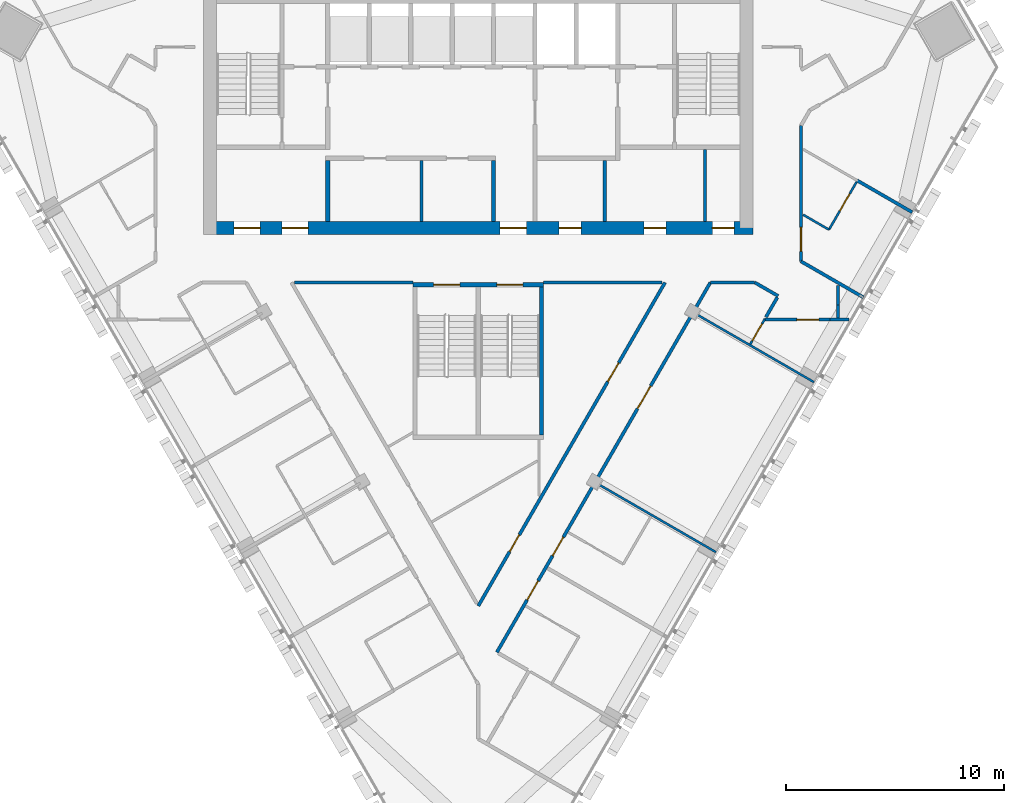
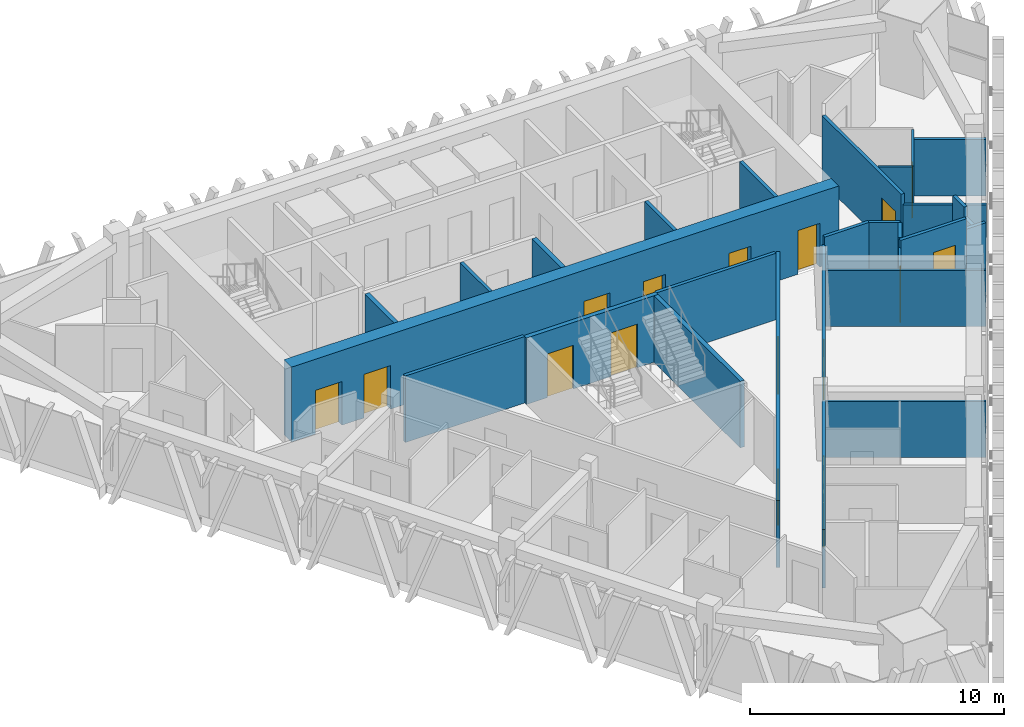
# One storey, part 9 of 15: 27 walls, 17 doors, 17 openings.
"""IFC4 building model written with IfcOpenShell, lengths in metres."""

from ifc_helpers import new_model, si_unit, direction, frame, frame_2d, origin, place, context, subcontext, project, spatial, rectangle, extrude, material, layer, layer_set, type_object, element, fill, save


model = new_model("IFC4")

# Units and contexts
model_context = context("Model", 3, precision=1e-05, world=origin(), true_north=direction((0.0, 1.0)))
body_context = subcontext(model_context, "Body", "Model", "MODEL_VIEW")
ifc_project = project(units=[si_unit("LENGTHUNIT", "METRE"), si_unit("AREAUNIT", "SQUARE_METRE"), si_unit("VOLUMEUNIT", "CUBIC_METRE"), si_unit("PLANEANGLEUNIT", "RADIAN"), si_unit("MASSUNIT", "GRAM", prefix="KILO")], contexts=[model_context])

# Site, building, storey
site_placement = place(None, origin())
site = spatial("IfcSite", under=ifc_project, at=site_placement, CompositionType="ELEMENT")
building_placement = place(site_placement, origin())
building = spatial("IfcBuilding", under=site, at=building_placement, Name="Altiplano Prism Tower", CompositionType="ELEMENT")
storey_placement = place(building_placement, frame((0.0, 0.0, 250.0)))
storey = spatial("IfcBuildingStorey", under=building, at=storey_placement, Name="L64", CompositionType="ELEMENT", Elevation=250.0)

# Wall, openings, doors
ifc_material_1 = material(Name="Concrete C60/75", Category="concrete")
ifc_layer_1 = layer(ifc_material_1, 0.60009765625)
ifc_layer_set_1 = layer_set([ifc_layer_1], Name="Concrete C60/75")
wall_type_1 = type_object("IfcWallType", Name="Core wall 600", PredefinedType="SHEAR", material=ifc_layer_set_1)
wall_1_placement = place(storey_placement, frame((72.699951171875, 93.10009765625, 0.0), z_axis=(0.0, 0.0, 1.0), x_axis=(1.0, 0.0, 0.0)))
wall_1 = element("IfcWall", 1, at=wall_1_placement, inside=storey, type_object=wall_type_1, Name="Core wall S L64", PredefinedType="SHEAR", context=body_context, shape_type="SweptSolid", body=[
    extrude(rectangle(XDim=24.900146484375, YDim=0.60009765625, at=frame_2d((12.4501953125, 0.0))), origin(), (0.0, 0.0, 1.0), 3.60009765625),
])
opening_1_placement = place(wall_1_placement, frame((1.10009765625, 0.0, 0.0)))
opening_1 = element("IfcOpeningElement", 2, at=opening_1_placement, cuts=wall_1, Name="Opening D3477", PredefinedType="OPENING", context=body_context, shape_type="SweptSolid", body=[
    extrude(rectangle(XDim=1.199951171875, YDim=2.10009765625, at=frame_2d((0.60009765625, 1.050048828125))), frame((0.0, 0.310546875, 0.0), z_axis=(0.0, -1.0, 0.0), x_axis=(1.0, 0.0, 0.0)), (0.0, 0.0, 1.0), 0.62109375),
])
opening_2_placement = place(wall_1_placement, frame((3.300048828125, 0.0, 0.0)))
opening_2 = element("IfcOpeningElement", 3, at=opening_2_placement, cuts=wall_1, Name="Opening D3478", PredefinedType="OPENING", context=body_context, shape_type="SweptSolid", body=[
    extrude(rectangle(XDim=1.199951171875, YDim=2.10009765625, at=frame_2d((0.60009765625, 1.050048828125))), frame((0.0, 0.310546875, 0.0), z_axis=(0.0, -1.0, 0.0), x_axis=(1.0, 0.0, 0.0)), (0.0, 0.0, 1.0), 0.62109375),
])
opening_3_placement = place(wall_1_placement, frame((13.300048828125, 0.0, 0.0)))
opening_3 = element("IfcOpeningElement", 4, at=opening_3_placement, cuts=wall_1, Name="Opening D3479", PredefinedType="OPENING", context=body_context, shape_type="SweptSolid", body=[
    extrude(rectangle(XDim=1.199951171875, YDim=2.10009765625, at=frame_2d((0.60009765625, 1.050048828125))), frame((0.0, 0.310546875, 0.0), z_axis=(0.0, -1.0, 0.0), x_axis=(1.0, 0.0, 0.0)), (0.0, 0.0, 1.0), 0.62109375),
])
opening_4_placement = place(wall_1_placement, frame((16.012451171875, 0.0, 0.0)))
opening_4 = element("IfcOpeningElement", 5, at=opening_4_placement, cuts=wall_1, Name="Opening D3482", PredefinedType="OPENING", context=body_context, shape_type="SweptSolid", body=[
    extrude(rectangle(XDim=1.0, YDim=2.10009765625, at=frame_2d((0.5, 1.050048828125))), frame((0.0, 0.310546875, 0.0), z_axis=(0.0, -1.0, 0.0), x_axis=(1.0, 0.0, 0.0)), (0.0, 0.0, 1.0), 0.62109375),
])
opening_5_placement = place(wall_1_placement, frame((19.89990234375, 0.0, 0.0)))
opening_5 = element("IfcOpeningElement", 6, at=opening_5_placement, cuts=wall_1, Name="Opening D3483", PredefinedType="OPENING", context=body_context, shape_type="SweptSolid", body=[
    extrude(rectangle(XDim=1.0, YDim=2.10009765625, at=frame_2d((0.5, 1.050048828125))), frame((0.0, 0.310546875, 0.0), z_axis=(0.0, -1.0, 0.0), x_axis=(1.0, 0.0, 0.0)), (0.0, 0.0, 1.0), 0.62109375),
])
opening_6_placement = place(wall_1_placement, frame((23.03759765625, 0.0, 0.0)))
opening_6 = element("IfcOpeningElement", 7, at=opening_6_placement, cuts=wall_1, Name="Opening D3484", PredefinedType="OPENING", context=body_context, shape_type="SweptSolid", body=[
    extrude(rectangle(XDim=1.0, YDim=2.10009765625, at=frame_2d((0.5, 1.050048828125))), frame((0.0, 0.310546875, 0.0), z_axis=(0.0, -1.0, 0.0), x_axis=(1.0, 0.0, 0.0)), (0.0, 0.0, 1.0), 0.62109375),
])
ifc_material_2 = material(Name="Fire-rated steel door", Category="steel")
door_type_1 = type_object("IfcDoorType", Name="Core room door 1000 x 2100", OperationType="NOTDEFINED", PredefinedType="NOTDEFINED", material=ifc_material_2)
door_1_placement = place(opening_4_placement, origin())
door_1 = element("IfcDoor", 8, at=door_1_placement, inside=storey, type_object=door_type_1, Name="Core room door D3482", OperationType="SINGLE_SWING_RIGHT", OverallHeight=2.10009765625, OverallWidth=1.0, PredefinedType="NOTDEFINED", context=body_context, shape_type="SweptSolid", body=[
    extrude(rectangle(XDim=1.0, YDim=2.10009765625, at=frame_2d((0.5, 1.050048828125))), frame((0.0, 0.02490234375, 0.0), z_axis=(0.0, -1.0, 0.0), x_axis=(1.0, 0.0, 0.0)), (0.0, 0.0, 1.0), 0.050048828125),
])
fill(opening_4, door_1)
door_2_placement = place(opening_5_placement, origin())
door_2 = element("IfcDoor", 9, at=door_2_placement, inside=storey, type_object=door_type_1, Name="Core room door D3483", OperationType="SINGLE_SWING_LEFT", OverallHeight=2.10009765625, OverallWidth=1.0, PredefinedType="NOTDEFINED", context=body_context, shape_type="SweptSolid", body=[
    extrude(rectangle(XDim=1.0, YDim=2.10009765625, at=frame_2d((0.5, 1.050048828125))), frame((0.0, 0.02490234375, 0.0), z_axis=(0.0, -1.0, 0.0), x_axis=(1.0, 0.0, 0.0)), (0.0, 0.0, 1.0), 0.050048828125),
])
fill(opening_5, door_2)
door_3_placement = place(opening_6_placement, origin())
door_3 = element("IfcDoor", 10, at=door_3_placement, inside=storey, type_object=door_type_1, Name="Core room door D3484", OperationType="SINGLE_SWING_RIGHT", OverallHeight=2.10009765625, OverallWidth=1.0, PredefinedType="NOTDEFINED", context=body_context, shape_type="SweptSolid", body=[
    extrude(rectangle(XDim=1.0, YDim=2.10009765625, at=frame_2d((0.5, 1.050048828125))), frame((0.0, 0.02490234375, 0.0), z_axis=(0.0, -1.0, 0.0), x_axis=(1.0, 0.0, 0.0)), (0.0, 0.0, 1.0), 0.050048828125),
])
fill(opening_6, door_3)
door_type_2 = type_object("IfcDoorType", Name="Lobby fire door 1200 x 2100", OperationType="NOTDEFINED", PredefinedType="NOTDEFINED", material=ifc_material_2)
door_4_placement = place(opening_1_placement, origin())
door_4 = element("IfcDoor", 11, at=door_4_placement, inside=storey, type_object=door_type_2, Name="Lobby fire door D3477", OperationType="SINGLE_SWING_RIGHT", OverallHeight=2.10009765625, OverallWidth=1.199951171875, PredefinedType="NOTDEFINED", context=body_context, shape_type="SweptSolid", body=[
    extrude(rectangle(XDim=1.199951171875, YDim=2.10009765625, at=frame_2d((0.60009765625, 1.050048828125))), frame((0.0, 0.02490234375, 0.0), z_axis=(0.0, -1.0, 0.0), x_axis=(1.0, 0.0, 0.0)), (0.0, 0.0, 1.0), 0.050048828125),
])
fill(opening_1, door_4)
door_5_placement = place(opening_2_placement, origin())
door_5 = element("IfcDoor", 12, at=door_5_placement, inside=storey, type_object=door_type_2, Name="Lobby fire door D3478", OperationType="SINGLE_SWING_LEFT", OverallHeight=2.10009765625, OverallWidth=1.199951171875, PredefinedType="NOTDEFINED", context=body_context, shape_type="SweptSolid", body=[
    extrude(rectangle(XDim=1.199951171875, YDim=2.10009765625, at=frame_2d((0.60009765625, 1.050048828125))), frame((0.0, 0.02490234375, 0.0), z_axis=(0.0, -1.0, 0.0), x_axis=(1.0, 0.0, 0.0)), (0.0, 0.0, 1.0), 0.050048828125),
])
fill(opening_2, door_5)
door_6_placement = place(opening_3_placement, origin())
door_6 = element("IfcDoor", 13, at=door_6_placement, inside=storey, type_object=door_type_2, Name="Lobby fire door D3479", OperationType="SINGLE_SWING_RIGHT", OverallHeight=2.10009765625, OverallWidth=1.199951171875, PredefinedType="NOTDEFINED", context=body_context, shape_type="SweptSolid", body=[
    extrude(rectangle(XDim=1.199951171875, YDim=2.10009765625, at=frame_2d((0.60009765625, 1.050048828125))), frame((0.0, 0.02490234375, 0.0), z_axis=(0.0, -1.0, 0.0), x_axis=(1.0, 0.0, 0.0)), (0.0, 0.0, 1.0), 0.050048828125),
])
fill(opening_3, door_6)

# Wall, opening, door
ifc_material_3 = material(Name="Plasterboard on steel stud", Category="steel")
ifc_layer_2 = layer(ifc_material_3, 0.10009765625)
ifc_layer_set_2 = layer_set([ifc_layer_2], Name="Plasterboard on steel stud")
wall_type_2 = type_object("IfcWallType", Name="Partition 100 unit", PredefinedType="PARTITIONING", material=ifc_layer_set_2)
wall_2_placement = place(storey_placement, frame((98.137939453125, 88.919921875, 0.0), z_axis=(0.0, 0.0, 1.0), x_axis=(-0.500004296715, -0.866022923061, 0.0)))
wall_2 = element("IfcWall", 14, at=wall_2_placement, inside=storey, type_object=wall_type_2, Name="Partition P02 L64 071", PredefinedType="PARTITIONING", context=body_context, shape_type="SweptSolid", body=[
    extrude(rectangle(XDim=1.32470703125, YDim=0.10009765625, at=frame_2d((0.662353515625, 0.0))), origin(), (0.0, 0.0, 1.0), 2.800048828125),
])
opening_7_placement = place(wall_2_placement, frame((0.25, 0.0, 0.0)))
opening_7 = element("IfcOpeningElement", 15, at=opening_7_placement, cuts=wall_2, Name="Opening D2105", PredefinedType="OPENING", context=body_context, shape_type="SweptSolid", body=[
    extrude(rectangle(XDim=0.89990234375, YDim=2.10009765625, at=frame_2d((0.449951171875, 1.050048828125))), frame((0.0, 0.060546875, 0.0), z_axis=(0.0, -1.0, 0.0), x_axis=(1.0, 0.0, 0.0)), (0.0, 0.0, 1.0), 0.12109375),
])
ifc_material_4 = material(Name="Timber", Category="wood")
door_type_3 = type_object("IfcDoorType", Name="Ensuite door 900 x 2100", OperationType="NOTDEFINED", PredefinedType="NOTDEFINED", material=ifc_material_4)
door_7_placement = place(opening_7_placement, origin())
door_7 = element("IfcDoor", 16, at=door_7_placement, inside=storey, type_object=door_type_3, Name="Door D2105", OperationType="SINGLE_SWING_LEFT", OverallHeight=2.10009765625, OverallWidth=0.89990234375, PredefinedType="NOTDEFINED", context=body_context, shape_type="SweptSolid", body=[
    extrude(rectangle(XDim=0.89990234375, YDim=2.10009765625, at=frame_2d((0.449951171875, 1.050048828125))), frame((0.0, 0.02490234375, 0.0), z_axis=(0.0, -1.0, 0.0), x_axis=(1.0, 0.0, 0.0)), (0.0, 0.0, 1.0), 0.050048828125),
])
fill(opening_7, door_7)

wall_3_placement = place(storey_placement, frame((102.345947265625, 95.20849609375, 0.0), z_axis=(0.0, 0.0, 1.0), x_axis=(-0.499976333282, -0.866039067339, 0.0)))
wall_3 = element("IfcWall", 17, at=wall_3_placement, inside=storey, type_object=wall_type_2, Name="Partition P02 L64 073", PredefinedType="PARTITIONING", context=body_context, shape_type="SweptSolid", body=[
    extrude(rectangle(XDim=2.52490234375, YDim=0.10009765625, at=frame_2d((1.262451171875, 0.0))), origin(), (0.0, 0.0, 1.0), 3.199951171875),
])
opening_8_placement = place(wall_3_placement, frame((0.62890625, 0.0, 0.0)))
opening_8 = element("IfcOpeningElement", 18, at=opening_8_placement, cuts=wall_3, Name="Opening D2107", PredefinedType="OPENING", context=body_context, shape_type="SweptSolid", body=[
    extrude(rectangle(XDim=0.89990234375, YDim=2.10009765625, at=frame_2d((0.449951171875, 1.050048828125))), frame((0.0, 0.060546875, 0.0), z_axis=(0.0, -1.0, 0.0), x_axis=(1.0, 0.0, 0.0)), (0.0, 0.0, 1.0), 0.12109375),
])
door_type_4 = type_object("IfcDoorType", Name="Accessible ensuite door 900 x 2100", OperationType="NOTDEFINED", PredefinedType="NOTDEFINED", material=ifc_material_4)
door_8_placement = place(opening_8_placement, origin())
door_8 = element("IfcDoor", 19, at=door_8_placement, inside=storey, type_object=door_type_4, Name="Door D2107", OperationType="SINGLE_SWING_LEFT", OverallHeight=2.10009765625, OverallWidth=0.89990234375, PredefinedType="NOTDEFINED", context=body_context, shape_type="SweptSolid", body=[
    extrude(rectangle(XDim=0.89990234375, YDim=2.10009765625, at=frame_2d((0.449951171875, 1.050048828125))), frame((0.0, 0.02490234375, 0.0), z_axis=(0.0, -1.0, 0.0), x_axis=(1.0, 0.0, 0.0)), (0.0, 0.0, 1.0), 0.050048828125),
])
fill(opening_8, door_8)

# Walls
wall_4_placement = place(storey_placement, frame((101.08349609375, 93.021728515625, 0.0), z_axis=(0.0, 0.0, 1.0), x_axis=(-0.8660249478, 0.500000789788, 0.0)))
element("IfcWall", 20, at=wall_4_placement, inside=storey, type_object=wall_type_2, Name="Partition P02 L64 074", PredefinedType="PARTITIONING", context=body_context, shape_type="SweptSolid", body=[
    extrude(rectangle(XDim=1.36669921875, YDim=0.10009765625, at=frame_2d((0.683349609375, 0.0))), origin(), (0.0, 0.0, 1.0), 3.199951171875),
])
ifc_layer_3 = layer(ifc_material_3, 0.10009765625)
ifc_layer_set_3 = layer_set([ifc_layer_3], Name="Plasterboard on steel stud")
wall_type_3 = type_object("IfcWallType", Name="Partition 100 wet", PredefinedType="PARTITIONING", material=ifc_layer_set_3)
for number, where, z_axis, x_axis, name in (
    (21, (95.89501953125, 78.235107421875, 0.0), (0.0, 0.0, 1.0), (-0.866032601554, 0.49998753289, 0.0), "Partition P03 L64 069"),
    (22, (100.39501953125, 86.029296875, 0.0), (0.0, 0.0, 1.0), (-0.866015887322, 0.500016482634, 0.0), "Partition P03 L64 070"),
):
    element("IfcWall", number, at=place(storey_placement, frame(where, z_axis=z_axis, x_axis=x_axis)), inside=storey, type_object=wall_type_3, Name=name, PredefinedType="PARTITIONING", context=body_context, shape_type="SweptSolid", body=[
        extrude(rectangle(XDim=6.324951171875, YDim=0.10009765625, at=frame_2d((3.16259765625, 0.0))), origin(), (0.0, 0.0, 1.0), 2.699951171875),
    ])
ifc_layer_4 = layer(ifc_material_3, 0.14990234375)
ifc_layer_set_4 = layer_set([ifc_layer_4], Name="Plasterboard on steel stud")
wall_type_4 = type_object("IfcWallType", Name="Partition 150 corridor", PredefinedType="PARTITIONING", material=ifc_layer_set_4)
for number, where, z_axis, x_axis, name in (
    (23, (76.566162109375, 90.59912109375, 0.0), (0.0, 0.0, 1.0), (1.0, 0.0, 0.0), "Partition P06 L64 002"),
    (24, (88.0, 90.59912109375, 0.0), (0.0, 0.0, 1.0), (1.0, 0.0, 0.0), "Partition P06 L64 003"),
):
    element("IfcWall", number, at=place(storey_placement, frame(where, z_axis=z_axis, x_axis=x_axis)), inside=storey, type_object=wall_type_4, Name=name, PredefinedType="PARTITIONING", context=body_context, shape_type="SweptSolid", body=[
        extrude(rectangle(XDim=5.433837890625, YDim=0.14990234375, at=frame_2d((2.716796875, 0.0))), origin(), (0.0, 0.0, 1.0), 3.199951171875),
    ])

# Wall, openings, doors
wall_5_placement = place(storey_placement, frame((93.563720703125, 90.59912109375, 0.0), z_axis=(0.0, 0.0, 1.0), x_axis=(-0.500000902253, -0.866024882868, 0.0)))
wall_5 = element("IfcWall", 25, at=wall_5_placement, inside=storey, type_object=wall_type_4, Name="Partition P06 L64 004", PredefinedType="PARTITIONING", context=body_context, shape_type="SweptSolid", body=[
    extrude(rectangle(XDim=17.12744140625, YDim=0.14990234375, at=frame_2d((8.563720703125, 0.0))), origin(), (0.0, 0.0, 1.0), 3.199951171875),
])
opening_9_placement = place(wall_5_placement, frame((13.35791015625, 0.0, 0.0)))
opening_9 = element("IfcOpeningElement", 26, at=opening_9_placement, cuts=wall_5, Name="Opening D2080", PredefinedType="OPENING", context=body_context, shape_type="SweptSolid", body=[
    extrude(rectangle(XDim=0.89990234375, YDim=2.10009765625, at=frame_2d((0.449951171875, 1.050048828125))), frame((0.0, 0.08544921875, 0.0), z_axis=(0.0, -1.0, 0.0), x_axis=(1.0, 0.0, 0.0)), (0.0, 0.0, 1.0), 0.1708984375),
])
opening_10_placement = place(wall_5_placement, frame((4.2548828125, 0.0, 0.0)))
opening_10 = element("IfcOpeningElement", 27, at=opening_10_placement, cuts=wall_5, Name="Opening D2083", PredefinedType="OPENING", context=body_context, shape_type="SweptSolid", body=[
    extrude(rectangle(XDim=1.0, YDim=2.10009765625, at=frame_2d((0.5, 1.050048828125))), frame((0.0, 0.08544921875, 0.0), z_axis=(0.0, -1.0, 0.0), x_axis=(1.0, 0.0, 0.0)), (0.0, 0.0, 1.0), 0.1708984375),
])
door_type_5 = type_object("IfcDoorType", Name="Room door 1000 x 2100", OperationType="NOTDEFINED", PredefinedType="NOTDEFINED", material=ifc_material_4)
door_9_placement = place(opening_10_placement, origin())
door_9 = element("IfcDoor", 28, at=door_9_placement, inside=storey, type_object=door_type_5, Name="Door D2083", OperationType="SINGLE_SWING_RIGHT", OverallHeight=2.10009765625, OverallWidth=1.0, PredefinedType="NOTDEFINED", context=body_context, shape_type="SweptSolid", body=[
    extrude(rectangle(XDim=1.0, YDim=2.10009765625, at=frame_2d((0.5, 1.050048828125))), frame((0.0, 0.02490234375, 0.0), z_axis=(0.0, -1.0, 0.0), x_axis=(1.0, 0.0, 0.0)), (0.0, 0.0, 1.0), 0.050048828125),
])
fill(opening_10, door_9)
door_type_6 = type_object("IfcDoorType", Name="Toilet door 900 x 2100", OperationType="NOTDEFINED", PredefinedType="NOTDEFINED", material=ifc_material_4)
door_10_placement = place(opening_9_placement, origin())
door_10 = element("IfcDoor", 29, at=door_10_placement, inside=storey, type_object=door_type_6, Name="Door D2080", OperationType="SINGLE_SWING_RIGHT", OverallHeight=2.10009765625, OverallWidth=0.89990234375, PredefinedType="NOTDEFINED", context=body_context, shape_type="SweptSolid", body=[
    extrude(rectangle(XDim=0.89990234375, YDim=2.10009765625, at=frame_2d((0.449951171875, 1.050048828125))), frame((0.0, 0.02490234375, 0.0), z_axis=(0.0, -1.0, 0.0), x_axis=(1.0, 0.0, 0.0)), (0.0, 0.0, 1.0), 0.050048828125),
])
fill(opening_9, door_10)

wall_6_placement = place(storey_placement, frame((85.8525390625, 73.640869140625, 0.0), z_axis=(0.0, 0.0, 1.0), x_axis=(0.499994048969, 0.866028839587, 0.0)))
wall_6 = element("IfcWall", 30, at=wall_6_placement, inside=storey, type_object=wall_type_4, Name="Partition P06 L64 018", PredefinedType="PARTITIONING", context=body_context, shape_type="SweptSolid", body=[
    extrude(rectangle(XDim=19.582763671875, YDim=0.14990234375, at=frame_2d((9.79150390625, 0.0))), origin(), (0.0, 0.0, 1.0), 2.800048828125),
])
opening_11_placement = place(wall_6_placement, frame((2.780029296875, 0.0, 0.0)))
opening_11 = element("IfcOpeningElement", 31, at=opening_11_placement, cuts=wall_6, Name="Opening D2099", PredefinedType="OPENING", context=body_context, shape_type="SweptSolid", body=[
    extrude(rectangle(XDim=1.0, YDim=2.10009765625, at=frame_2d((0.5, 1.050048828125))), frame((0.0, 0.08544921875, 0.0), z_axis=(0.0, -1.0, 0.0), x_axis=(1.0, 0.0, 0.0)), (0.0, 0.0, 1.0), 0.1708984375),
])
opening_12_placement = place(wall_6_placement, frame((5.10498046875, 0.0, 0.0)))
opening_12 = element("IfcOpeningElement", 32, at=opening_12_placement, cuts=wall_6, Name="Opening D2101", PredefinedType="OPENING", context=body_context, shape_type="SweptSolid", body=[
    extrude(rectangle(XDim=1.0, YDim=2.10009765625, at=frame_2d((0.5, 1.050048828125))), frame((0.0, 0.08544921875, 0.0), z_axis=(0.0, -1.0, 0.0), x_axis=(1.0, 0.0, 0.0)), (0.0, 0.0, 1.0), 0.1708984375),
])
opening_13_placement = place(wall_6_placement, frame((12.89990234375, 0.0, 0.0)))
opening_13 = element("IfcOpeningElement", 33, at=opening_13_placement, cuts=wall_6, Name="Opening D2103", PredefinedType="OPENING", context=body_context, shape_type="SweptSolid", body=[
    extrude(rectangle(XDim=1.199951171875, YDim=2.10009765625, at=frame_2d((0.60009765625, 1.050048828125))), frame((0.0, 0.08544921875, 0.0), z_axis=(0.0, -1.0, 0.0), x_axis=(1.0, 0.0, 0.0)), (0.0, 0.0, 1.0), 0.1708984375),
])
door_type_7 = type_object("IfcDoorType", Name="Bedroom entrance door 1000 x 2100", OperationType="NOTDEFINED", PredefinedType="NOTDEFINED", material=ifc_material_4)
door_11_placement = place(opening_11_placement, origin())
door_11 = element("IfcDoor", 34, at=door_11_placement, inside=storey, type_object=door_type_7, Name="Door D2099", OperationType="SINGLE_SWING_RIGHT", OverallHeight=2.10009765625, OverallWidth=1.0, PredefinedType="NOTDEFINED", context=body_context, shape_type="SweptSolid", body=[
    extrude(rectangle(XDim=1.0, YDim=2.10009765625, at=frame_2d((0.5, 1.050048828125))), frame((0.0, 0.02490234375, 0.0), z_axis=(0.0, -1.0, 0.0), x_axis=(1.0, 0.0, 0.0)), (0.0, 0.0, 1.0), 0.050048828125),
])
fill(opening_11, door_11)
door_12_placement = place(opening_12_placement, origin())
door_12 = element("IfcDoor", 35, at=door_12_placement, inside=storey, type_object=door_type_7, Name="Door D2101", OperationType="SINGLE_SWING_RIGHT", OverallHeight=2.10009765625, OverallWidth=1.0, PredefinedType="NOTDEFINED", context=body_context, shape_type="SweptSolid", body=[
    extrude(rectangle(XDim=1.0, YDim=2.10009765625, at=frame_2d((0.5, 1.050048828125))), frame((0.0, 0.02490234375, 0.0), z_axis=(0.0, -1.0, 0.0), x_axis=(1.0, 0.0, 0.0)), (0.0, 0.0, 1.0), 0.050048828125),
])
fill(opening_12, door_12)
door_type_8 = type_object("IfcDoorType", Name="Shared room door 1200 x 2100", OperationType="NOTDEFINED", PredefinedType="NOTDEFINED", material=ifc_material_4)
door_13_placement = place(opening_13_placement, origin())
door_13 = element("IfcDoor", 36, at=door_13_placement, inside=storey, type_object=door_type_8, Name="Door D2103", OperationType="SINGLE_SWING_RIGHT", OverallHeight=2.10009765625, OverallWidth=1.199951171875, PredefinedType="NOTDEFINED", context=body_context, shape_type="SweptSolid", body=[
    extrude(rectangle(XDim=1.199951171875, YDim=2.10009765625, at=frame_2d((0.60009765625, 1.050048828125))), frame((0.0, 0.02490234375, 0.0), z_axis=(0.0, -1.0, 0.0), x_axis=(1.0, 0.0, 0.0)), (0.0, 0.0, 1.0), 0.050048828125),
])
fill(opening_13, door_13)

# Wall, opening, door
wall_7_placement = place(storey_placement, frame((98.12646484375, 88.89990234375, 0.0), z_axis=(0.0, 0.0, 1.0), x_axis=(1.0, 0.0, 0.0)))
wall_7 = element("IfcWall", 37, at=wall_7_placement, inside=storey, type_object=wall_type_4, Name="Partition P06 L64 019", PredefinedType="PARTITIONING", context=body_context, shape_type="SweptSolid", body=[
    extrude(rectangle(XDim=2.992431640625, YDim=0.14990234375, at=frame_2d((1.49609375, 0.0))), origin(), (0.0, 0.0, 1.0), 3.199951171875),
])
opening_14_placement = place(wall_7_placement, frame((1.488037109375, 0.0, 0.0)))
opening_14 = element("IfcOpeningElement", 38, at=opening_14_placement, cuts=wall_7, Name="Opening D2104", PredefinedType="OPENING", context=body_context, shape_type="SweptSolid", body=[
    extrude(rectangle(XDim=1.0, YDim=2.10009765625, at=frame_2d((0.5, 1.050048828125))), frame((0.0, 0.08544921875, 0.0), z_axis=(0.0, -1.0, 0.0), x_axis=(1.0, 0.0, 0.0)), (0.0, 0.0, 1.0), 0.1708984375),
])
door_14_placement = place(opening_14_placement, origin())
door_14 = element("IfcDoor", 39, at=door_14_placement, inside=storey, type_object=door_type_7, Name="Door D2104", OperationType="SINGLE_SWING_RIGHT", OverallHeight=2.10009765625, OverallWidth=1.0, PredefinedType="NOTDEFINED", context=body_context, shape_type="SweptSolid", body=[
    extrude(rectangle(XDim=1.0, YDim=2.10009765625, at=frame_2d((0.5, 1.050048828125))), frame((0.0, 0.02490234375, 0.0), z_axis=(0.0, -1.0, 0.0), x_axis=(1.0, 0.0, 0.0)), (0.0, 0.0, 1.0), 0.050048828125),
])
fill(opening_14, door_14)

# Walls
wall_8_placement = place(storey_placement, frame((101.118896484375, 88.89990234375, 0.0), z_axis=(0.0, 0.0, 1.0), x_axis=(1.0, 0.0, 0.0)))
element("IfcWall", 40, at=wall_8_placement, inside=storey, type_object=wall_type_4, Name="Partition P06 L64 020", PredefinedType="PARTITIONING", context=body_context, shape_type="SweptSolid", body=[
    extrude(rectangle(XDim=0.879638671875, YDim=0.14990234375, at=frame_2d((0.43994140625, 0.0))), origin(), (0.0, 0.0, 1.0), 2.699951171875),
])
wall_9_placement = place(storey_placement, frame((101.5, 88.97509765625, 0.0), z_axis=(0.0, 0.0, 1.0), x_axis=(0.0, 1.0, 0.0)))
element("IfcWall", 41, at=wall_9_placement, inside=storey, type_object=wall_type_4, Name="Partition P06 L64 021", PredefinedType="PARTITIONING", context=body_context, shape_type="SweptSolid", body=[
    extrude(rectangle(XDim=0.585205078125, YDim=0.14990234375, at=frame_2d((0.29248046875, 0.0))), origin(), (0.0, 0.0, 1.0), 2.699951171875),
])
wall_10_placement = place(storey_placement, frame((101.5, 89.560302734375, 0.0), z_axis=(0.0, 0.0, 1.0), x_axis=(0.0, 1.0, 0.0)))
element("IfcWall", 42, at=wall_10_placement, inside=storey, type_object=wall_type_4, Name="Partition P06 L64 022", PredefinedType="PARTITIONING", context=body_context, shape_type="SweptSolid", body=[
    extrude(rectangle(XDim=0.897216796875, YDim=0.14990234375, at=frame_2d((0.44873046875, 0.0))), origin(), (0.0, 0.0, 1.0), 3.199951171875),
])
wall_11_placement = place(storey_placement, frame((95.643798828125, 90.60009765625, 0.0), z_axis=(0.0, 0.0, 1.0), x_axis=(1.0, 0.0, 0.0)))
element("IfcWall", 43, at=wall_11_placement, inside=storey, type_object=wall_type_4, Name="Partition P06 L64 023", PredefinedType="PARTITIONING", context=body_context, shape_type="SweptSolid", body=[
    extrude(rectangle(XDim=2.034423828125, YDim=0.14990234375, at=frame_2d((1.01708984375, 0.0))), origin(), (0.0, 0.0, 1.0), 3.199951171875),
])
wall_12_placement = place(storey_placement, frame((97.67822265625, 90.60009765625, 0.0), z_axis=(0.0, 0.0, 1.0), x_axis=(0.866001699761, -0.500041054325, 0.0)))
element("IfcWall", 44, at=wall_12_placement, inside=storey, type_object=wall_type_4, Name="Partition P06 L64 024", PredefinedType="PARTITIONING", context=body_context, shape_type="SweptSolid", body=[
    extrude(rectangle(XDim=1.23828125, YDim=0.14990234375, at=frame_2d((0.619140625, 0.0))), origin(), (0.0, 0.0, 1.0), 3.199951171875),
])
wall_13_placement = place(storey_placement, frame((98.713134765625, 89.916015625, 0.0), z_axis=(0.0, 0.0, 1.0), x_axis=(-0.500039775752, -0.866002438025, 0.0)))
element("IfcWall", 45, at=wall_13_placement, inside=storey, type_object=wall_type_4, Name="Partition P06 L64 025", PredefinedType="PARTITIONING", context=body_context, shape_type="SweptSolid", body=[
    extrude(rectangle(XDim=1.04345703125, YDim=0.14990234375, at=frame_2d((0.521728515625, 0.0))), origin(), (0.0, 0.0, 1.0), 3.199951171875),
])

# Wall, opening, door
wall_14_placement = place(storey_placement, frame((99.800048828125, 91.56884765625, 0.0), z_axis=(0.0, 0.0, 1.0), x_axis=(0.0, 1.0, 0.0)))
wall_14 = element("IfcWall", 46, at=wall_14_placement, inside=storey, type_object=wall_type_4, Name="Partition P06 L64 026", PredefinedType="PARTITIONING", context=body_context, shape_type="SweptSolid", body=[
    extrude(rectangle(XDim=6.229736328125, YDim=0.14990234375, at=frame_2d((3.11474609375, 0.0))), origin(), (0.0, 0.0, 1.0), 3.199951171875),
])
opening_15_placement = place(wall_14_placement, frame((0.4609375, 0.0, 0.0)))
opening_15 = element("IfcOpeningElement", 47, at=opening_15_placement, cuts=wall_14, Name="Opening D2106", PredefinedType="OPENING", context=body_context, shape_type="SweptSolid", body=[
    extrude(rectangle(XDim=1.10009765625, YDim=2.10009765625, at=frame_2d((0.550048828125, 1.050048828125))), frame((0.0, 0.08544921875, 0.0), z_axis=(0.0, -1.0, 0.0), x_axis=(1.0, 0.0, 0.0)), (0.0, 0.0, 1.0), 0.1708984375),
])
door_type_9 = type_object("IfcDoorType", Name="Accessible bedroom door 1100 x 2100", OperationType="NOTDEFINED", PredefinedType="NOTDEFINED", material=ifc_material_4)
door_15_placement = place(opening_15_placement, origin())
door_15 = element("IfcDoor", 48, at=door_15_placement, inside=storey, type_object=door_type_9, Name="Door D2106", OperationType="SINGLE_SWING_LEFT", OverallHeight=2.10009765625, OverallWidth=1.10009765625, PredefinedType="NOTDEFINED", context=body_context, shape_type="SweptSolid", body=[
    extrude(rectangle(XDim=1.10009765625, YDim=2.10009765625, at=frame_2d((0.550048828125, 1.050048828125))), frame((0.0, 0.02490234375, 0.0), z_axis=(0.0, -1.0, 0.0), x_axis=(1.0, 0.0, 0.0)), (0.0, 0.0, 1.0), 0.050048828125),
])
fill(opening_15, door_15)

# Walls
wall_15_placement = place(storey_placement, frame((102.66259765625, 89.916259765625, 0.0), z_axis=(0.0, 0.0, 1.0), x_axis=(-0.866039217307, 0.499976073514, 0.0)))
element("IfcWall", 49, at=wall_15_placement, inside=storey, type_object=wall_type_4, Name="Partition P06 L64 072", PredefinedType="PARTITIONING", context=body_context, shape_type="SweptSolid", body=[
    extrude(rectangle(XDim=3.305419921875, YDim=0.14990234375, at=frame_2d((1.65283203125, 0.0))), origin(), (0.0, 0.0, 1.0), 2.699951171875),
])
ifc_layer_5 = layer(ifc_material_3, 0.14990234375)
ifc_layer_set_5 = layer_set([ifc_layer_5], Name="Plasterboard on steel stud")
wall_type_5 = type_object("IfcWallType", Name="Partition 150 party", PredefinedType="PARTITIONING", material=ifc_layer_set_5)
wall_16_placement = place(storey_placement, frame((104.89501953125, 93.823486328125, 0.0), z_axis=(0.0, 0.0, 1.0), x_axis=(-0.866032430508, 0.49998782916, 0.0)))
element("IfcWall", 50, at=wall_16_placement, inside=storey, type_object=wall_type_5, Name="Partition P01 L64 075", PredefinedType="PARTITIONING", context=body_context, shape_type="SweptSolid", body=[
    extrude(rectangle(XDim=2.919921875, YDim=0.14990234375, at=frame_2d((1.4599609375, 0.0))), origin(), (0.0, 0.0, 1.0), 2.699951171875),
])
ifc_material_5 = material(Name="Fire-rated gypsum board partition")
ifc_layer_6 = layer(ifc_material_5, 0.14990234375)
ifc_layer_set_6 = layer_set([ifc_layer_6], Name="Fire-rated gypsum board partition")
wall_type_6 = type_object("IfcWallType", Name="Room partition 150", PredefinedType="PARTITIONING", material=ifc_layer_set_6)
for number, where, z_axis, x_axis, name in (
    (51, (82.39990234375, 93.39990234375, 0.0), (0.0, 0.0, 1.0), (0.0, 1.0, 0.0), "Room partition L64"),
    (52, (90.800048828125, 93.39990234375, 0.0), (0.0, 0.0, 1.0), (0.0, 1.0, 0.0), "Room partition L64"),
):
    element("IfcWall", number, at=place(storey_placement, frame(where, z_axis=z_axis, x_axis=x_axis)), inside=storey, type_object=wall_type_6, Name=name, PredefinedType="PARTITIONING", context=body_context, shape_type="SweptSolid", body=[
        extrude(rectangle(XDim=2.800048828125, YDim=0.14990234375, at=frame_2d((1.39990234375, 0.0))), origin(), (0.0, 0.0, 1.0), 3.199951171875),
    ])
wall_17_placement = place(storey_placement, frame((95.39990234375, 93.39990234375, 0.0), z_axis=(0.0, 0.0, 1.0), x_axis=(0.0, 1.0, 0.0)))
element("IfcWall", 53, at=wall_17_placement, inside=storey, type_object=wall_type_6, Name="Room partition L64", PredefinedType="PARTITIONING", context=body_context, shape_type="SweptSolid", body=[
    extrude(rectangle(XDim=3.300048828125, YDim=0.14990234375, at=frame_2d((1.64990234375, 0.0))), origin(), (0.0, 0.0, 1.0), 3.199951171875),
])

# Wall, openings, doors
ifc_layer_7 = layer(ifc_material_1, 0.199951171875)
ifc_layer_set_7 = layer_set([ifc_layer_7], Name="Concrete C60/75")
wall_type_7 = type_object("IfcWallType", Name="Stair wall 200", PredefinedType="SOLIDWALL", material=ifc_layer_set_7)
wall_18_placement = place(storey_placement, frame((82.0, 90.5, 0.0), z_axis=(0.0, 0.0, 1.0), x_axis=(1.0, 0.0, 0.0)))
wall_18 = element("IfcWall", 54, at=wall_18_placement, inside=storey, type_object=wall_type_7, Name="Stair 3 wall north L64", PredefinedType="SOLIDWALL", context=body_context, shape_type="SweptSolid", body=[
    extrude(rectangle(XDim=6.0, YDim=0.199951171875, at=frame_2d((3.0, 0.0))), origin(), (0.0, 0.0, 1.0), 3.199951171875),
])
opening_16_placement = place(wall_18_placement, frame((0.949951171875, 0.0, 0.0)))
opening_16 = element("IfcOpeningElement", 55, at=opening_16_placement, cuts=wall_18, Name="Opening D4050", PredefinedType="OPENING", context=body_context, shape_type="SweptSolid", body=[
    extrude(rectangle(XDim=1.199951171875, YDim=2.10009765625, at=frame_2d((0.60009765625, 1.050048828125))), frame((0.0, 0.1103515625, 0.0), z_axis=(0.0, -1.0, 0.0), x_axis=(1.0, 0.0, 0.0)), (0.0, 0.0, 1.0), 0.220947265625),
])
opening_17_placement = place(wall_18_placement, frame((3.85009765625, 0.0, 0.0)))
opening_17 = element("IfcOpeningElement", 56, at=opening_17_placement, cuts=wall_18, Name="Opening D4051", PredefinedType="OPENING", context=body_context, shape_type="SweptSolid", body=[
    extrude(rectangle(XDim=1.199951171875, YDim=2.10009765625, at=frame_2d((0.60009765625, 1.050048828125))), frame((0.0, 0.1103515625, 0.0), z_axis=(0.0, -1.0, 0.0), x_axis=(1.0, 0.0, 0.0)), (0.0, 0.0, 1.0), 0.220947265625),
])
door_type_10 = type_object("IfcDoorType", Name="Stair fire door 1200 x 2100", OperationType="NOTDEFINED", PredefinedType="NOTDEFINED", material=ifc_material_2)
door_16_placement = place(opening_16_placement, origin())
door_16 = element("IfcDoor", 57, at=door_16_placement, inside=storey, type_object=door_type_10, Name="Stair fire door D4050", OperationType="SINGLE_SWING_LEFT", OverallHeight=2.10009765625, OverallWidth=1.199951171875, PredefinedType="NOTDEFINED", context=body_context, shape_type="SweptSolid", body=[
    extrude(rectangle(XDim=1.199951171875, YDim=2.10009765625, at=frame_2d((0.60009765625, 1.050048828125))), frame((0.0, 0.02490234375, 0.0), z_axis=(0.0, -1.0, 0.0), x_axis=(1.0, 0.0, 0.0)), (0.0, 0.0, 1.0), 0.050048828125),
])
fill(opening_16, door_16)
door_17_placement = place(opening_17_placement, origin())
door_17 = element("IfcDoor", 58, at=door_17_placement, inside=storey, type_object=door_type_10, Name="Stair fire door D4051", OperationType="SINGLE_SWING_LEFT", OverallHeight=2.10009765625, OverallWidth=1.199951171875, PredefinedType="NOTDEFINED", context=body_context, shape_type="SweptSolid", body=[
    extrude(rectangle(XDim=1.199951171875, YDim=2.10009765625, at=frame_2d((0.60009765625, 1.050048828125))), frame((0.0, 0.02490234375, 0.0), z_axis=(0.0, -1.0, 0.0), x_axis=(1.0, 0.0, 0.0)), (0.0, 0.0, 1.0), 0.050048828125),
])
fill(opening_17, door_17)

# Walls
wall_19_placement = place(storey_placement, frame((87.89990234375, 83.60009765625, 0.0), z_axis=(0.0, 0.0, 1.0), x_axis=(0.0, 1.0, 0.0)))
element("IfcWall", 59, at=wall_19_placement, inside=storey, type_object=wall_type_7, Name="Stair 3 wall east L64", PredefinedType="SOLIDWALL", context=body_context, shape_type="SweptSolid", body=[
    extrude(rectangle(XDim=6.7998046875, YDim=0.199951171875, at=frame_2d((3.39990234375, 0.0))), origin(), (0.0, 0.0, 1.0), 3.199951171875),
])
ifc_layer_8 = layer(ifc_material_1, 0.199951171875)
ifc_layer_set_8 = layer_set([ifc_layer_8], Name="Concrete C60/75")
wall_type_8 = type_object("IfcWallType", Name="Vestibule wall 200", PredefinedType="PARTITIONING", material=ifc_layer_set_8)
for number, where, z_axis, x_axis, name in (
    (60, (78.10009765625, 93.39990234375, 0.0), (0.0, 0.0, 1.0), (0.0, 1.0, 0.0), "Vestibule wall L64"),
    (61, (85.699951171875, 93.39990234375, 0.0), (0.0, 0.0, 1.0), (0.0, 1.0, 0.0), "Vestibule wall L64"),
):
    element("IfcWall", number, at=place(storey_placement, frame(where, z_axis=z_axis, x_axis=x_axis)), inside=storey, type_object=wall_type_8, Name=name, PredefinedType="PARTITIONING", context=body_context, shape_type="SweptSolid", body=[
        extrude(rectangle(XDim=2.800048828125, YDim=0.199951171875, at=frame_2d((1.39990234375, 0.0))), origin(), (0.0, 0.0, 1.0), 3.199951171875),
    ])

save(model, "model.ifc")
